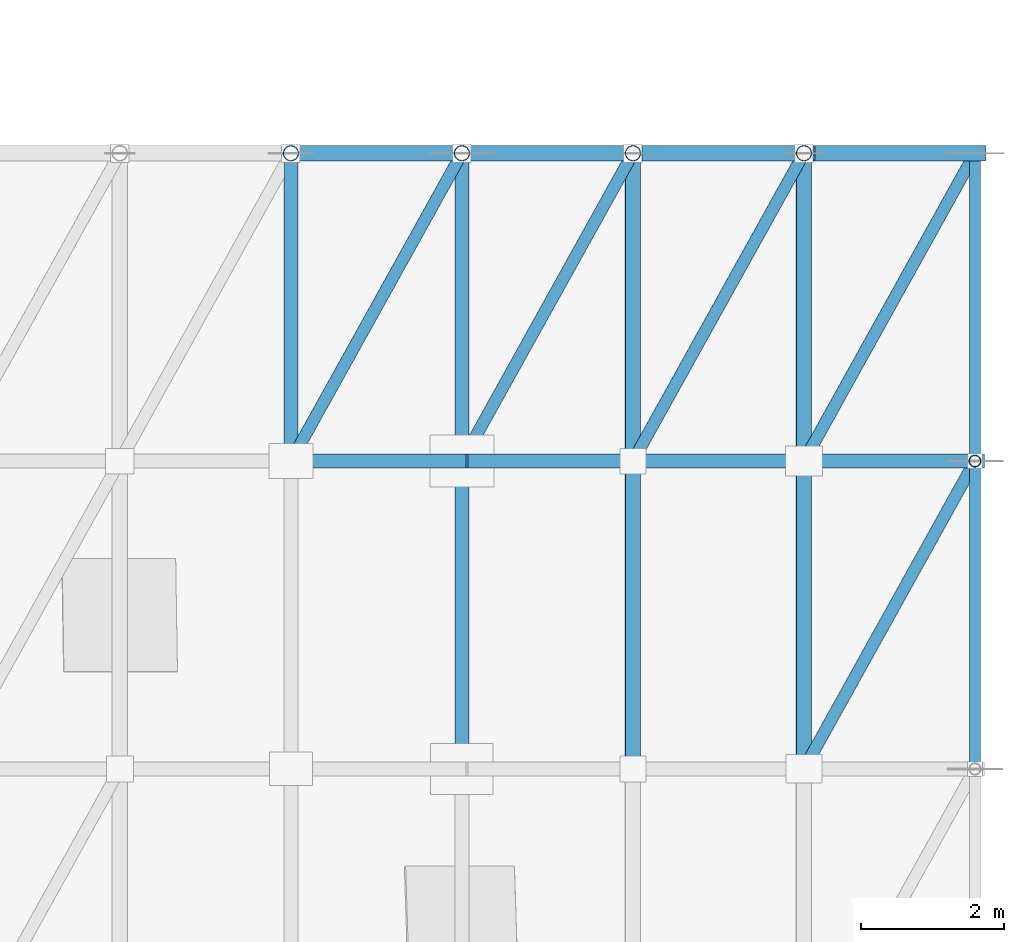
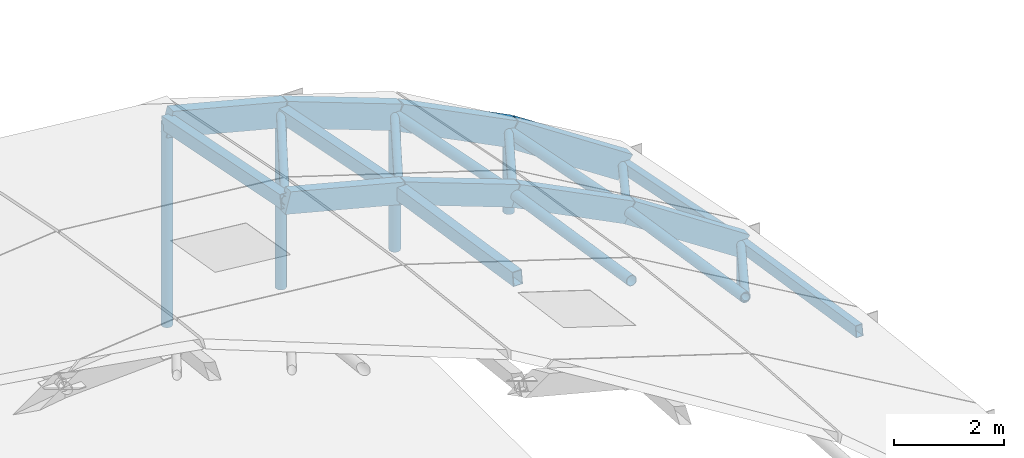
# One storey, part 19 of 35: 27 members.
"""IFC4 building model written with IfcOpenShell, lengths in metres."""

from ifc_helpers import new_model, si_unit, direction, frame, origin, origin_2d, place, context, subcontext, project, spatial, rectangle, hollow_rectangle, hollow_circle, extrude, material, material_profile, profile_set, type_object, element, save


model = new_model("IFC4")

# Units and contexts
model_context = context("Model", 3, precision=1e-05, world=origin(), true_north=direction((0.0, 1.0)))
body_context = subcontext(model_context, "Body", "Model", "MODEL_VIEW")
ifc_project = project(units=[si_unit("LENGTHUNIT", "METRE"), si_unit("AREAUNIT", "SQUARE_METRE"), si_unit("VOLUMEUNIT", "CUBIC_METRE"), si_unit("PLANEANGLEUNIT", "RADIAN"), si_unit("MASSUNIT", "GRAM", prefix="KILO")], contexts=[model_context])

# Site, building, storey
site_placement = place(None, origin())
site = spatial("IfcSite", under=ifc_project, at=site_placement, CompositionType="ELEMENT")
building_placement = place(site_placement, origin())
building = spatial("IfcBuilding", under=site, at=building_placement, Name="Zarrinpeak Specialist Clinic", CompositionType="ELEMENT")
storey_placement = place(building_placement, frame((0.0, 0.0, 31.60009765625)))
storey = spatial("IfcBuildingStorey", under=building, at=storey_placement, Name="RF", CompositionType="ELEMENT", Elevation=31.60009765625)

# Members
ifc_material_1 = material(Name="Steel S355", Category="steel")
ifc_material_profile_1 = material_profile(ifc_material_1, hollow_circle(Radius=0.084228515625, WallThickness=0.008056640625, at=origin_2d()), Name="CHS 168.3x8.0")
ifc_profile_set_1 = profile_set([ifc_material_profile_1], Name="Steel S355")
member_type_1 = type_object("IfcMemberType", Name="MB-BR168", PredefinedType="BRACE", material=ifc_profile_set_1)
member_1_placement = place(storey_placement, frame((112.800048828125, 67.679931640625, -12.4208984375), z_axis=(0.465088480955, 0.837206578891, -0.287711399053), x_axis=(-0.874168927292, 0.485621958479, 0.0)))
element("IfcMember", 1, at=member_1_placement, inside=storey, type_object=member_type_1, Name="V3 Gridshell Diagonal Brace GS-DIAG-054", PredefinedType="BRACE", context=body_context, shape_type="SweptSolid", body=[
    extrude(hollow_circle(Radius=0.084228515625, WallThickness=0.008056640625, at=origin_2d()), origin(), (0.0, 0.0, 1.0), 5.16015625),
])
member_2_placement = place(storey_placement, frame((115.199951171875, 67.679931640625, -13.04150390625), z_axis=(0.457448279603, 0.823369678322, -0.335862240075), x_axis=(-0.874147955046, 0.485659708735, 0.0)))
element("IfcMember", 2, at=member_2_placement, inside=storey, type_object=member_type_1, Name="V3 Gridshell Diagonal Brace GS-DIAG-058", PredefinedType="BRACE", context=body_context, shape_type="SweptSolid", body=[
    extrude(hollow_circle(Radius=0.084228515625, WallThickness=0.008056640625, at=origin_2d()), origin(), (0.0, 0.0, 1.0), 5.246826171875),
])
member_3_placement = place(storey_placement, frame((117.60009765625, 67.679931640625, -13.939697265625), z_axis=(0.44773218823, 0.805963486342, -0.387245072669), x_axis=(-0.874168927292, 0.485621958479, 0.0)))
element("IfcMember", 3, at=member_3_placement, inside=storey, type_object=member_type_1, Name="V3 Gridshell Diagonal Brace GS-DIAG-062", PredefinedType="BRACE", context=body_context, shape_type="SweptSolid", body=[
    extrude(hollow_circle(Radius=0.084228515625, WallThickness=0.008056640625, at=origin_2d()), origin(), (0.0, 0.0, 1.0), 5.360107421875),
])
member_4_placement = place(storey_placement, frame((120.0, 63.360107421875, -14.4794921875), z_axis=(0.441763361189, 0.795174050139, -0.415383392418), x_axis=(-0.874157276122, 0.485642931179, 0.0)))
element("IfcMember", 4, at=member_4_placement, inside=storey, type_object=member_type_1, Name="V3 Gridshell Diagonal Brace GS-DIAG-071", PredefinedType="BRACE", context=body_context, shape_type="SweptSolid", body=[
    extrude(hollow_circle(Radius=0.084228515625, WallThickness=0.008056640625, at=origin_2d()), origin(), (0.0, 0.0, 1.0), 5.4326171875),
])
member_5_placement = place(storey_placement, frame((120.0, 67.679931640625, -15.151611328125), z_axis=(0.435142042868, 0.783299943902, -0.443951123899), x_axis=(-0.874168927292, 0.485621958479, 0.0)))
element("IfcMember", 5, at=member_5_placement, inside=storey, type_object=member_type_1, Name="V3 Gridshell Diagonal Brace GS-DIAG-072", PredefinedType="BRACE", context=body_context, shape_type="SweptSolid", body=[
    extrude(hollow_circle(Radius=0.084228515625, WallThickness=0.008056640625, at=origin_2d()), origin(), (0.0, 0.0, 1.0), 5.51513671875),
])
ifc_material_profile_2 = material_profile(ifc_material_1, hollow_circle(Radius=0.109619140625, WallThickness=0.010009765625, at=origin_2d()), Name="CHS 219.1x10.0")
ifc_profile_set_2 = profile_set([ifc_material_profile_2], Name="Steel S355")
member_type_2 = type_object("IfcMemberType", Name="MB-GS-CH219", PredefinedType="USERDEFINED", material=ifc_profile_set_2)
member_6_placement = place(storey_placement, frame((117.60009765625, 63.360107421875, -13.267578125), z_axis=(0.0, 0.988111379408, -0.153739721234), x_axis=(-1.0, 0.0, 0.0)))
element("IfcMember", 6, at=member_6_placement, inside=storey, type_object=member_type_2, Name="V3 Translational Gridshell Vault Steel Chord I10-J08", ObjectType="ARCH_SEGMENT", PredefinedType="USERDEFINED", context=body_context, shape_type="SweptSolid", body=[
    extrude(hollow_circle(Radius=0.109619140625, WallThickness=0.010009765625, at=origin_2d()), origin(), (0.0, 0.0, 1.0), 4.371826171875),
])
member_7_placement = place(storey_placement, frame((117.60009765625, 67.679931640625, -13.939697265625), z_axis=(0.0, 0.980580675691, -0.196116135138), x_axis=(-1.0, 0.0, 0.0)))
element("IfcMember", 7, at=member_7_placement, inside=storey, type_object=member_type_2, Name="V3 Translational Gridshell Vault Steel Chord I10-J09", ObjectType="ARCH_SEGMENT", PredefinedType="USERDEFINED", context=body_context, shape_type="SweptSolid", body=[
    extrude(hollow_circle(Radius=0.109619140625, WallThickness=0.010009765625, at=origin_2d()), origin(), (0.0, 0.0, 1.0), 4.405517578125),
])
member_8_placement = place(storey_placement, frame((120.0, 63.360107421875, -14.4794921875), z_axis=(0.0, 0.988111379408, -0.153739721234), x_axis=(-1.0, 0.0, 0.0)))
element("IfcMember", 8, at=member_8_placement, inside=storey, type_object=member_type_2, Name="V3 Translational Gridshell Vault Steel Chord I11-J08", ObjectType="ARCH_SEGMENT", PredefinedType="USERDEFINED", context=body_context, shape_type="SweptSolid", body=[
    extrude(hollow_circle(Radius=0.109619140625, WallThickness=0.010009765625, at=origin_2d()), origin(), (0.0, 0.0, 1.0), 4.371826171875),
])
member_9_placement = place(storey_placement, frame((120.0, 67.679931640625, -15.151611328125), z_axis=(0.0, 0.980591331223, -0.19606284995), x_axis=(-1.0, 0.0, 0.0)))
element("IfcMember", 9, at=member_9_placement, inside=storey, type_object=member_type_2, Name="V3 Translational Gridshell Vault Steel Chord I11-J09", ObjectType="ARCH_SEGMENT", PredefinedType="USERDEFINED", context=body_context, shape_type="SweptSolid", body=[
    extrude(hollow_circle(Radius=0.109619140625, WallThickness=0.010009765625, at=origin_2d()), origin(), (0.0, 0.0, 1.0), 4.405517578125),
])
ifc_material_2 = material(Name="Glulam GL28h", Category="wood")
ifc_material_profile_3 = material_profile(ifc_material_2, rectangle(XDim=0.199951171875, YDim=0.47998046875, at=origin_2d()), Name="GL28h 200x480")
ifc_profile_set_3 = profile_set([ifc_material_profile_3], Name="Glulam GL28h")
member_type_3 = type_object("IfcMemberType", Name="MB-GS-GL480", PredefinedType="USERDEFINED", material=ifc_profile_set_3)
member_10_placement = place(storey_placement, frame((112.800048828125, 67.679931640625, -12.4208984375), z_axis=(0.96815267419, 0.0, -0.250360538941), x_axis=(0.0, 1.0, 0.0)))
element("IfcMember", 10, at=member_10_placement, inside=storey, type_object=member_type_3, Name="V3 Translational Gridshell Vault Glulam Arch Rib J09-08", ObjectType="ARCH_SEGMENT", PredefinedType="USERDEFINED", context=body_context, shape_type="SweptSolid", body=[
    extrude(rectangle(XDim=0.199951171875, YDim=0.47998046875, at=origin_2d()), origin(), (0.0, 0.0, 1.0), 2.478759765625),
])
member_11_placement = place(storey_placement, frame((115.199951171875, 67.679931640625, -13.04150390625), z_axis=(0.936567780468, 0.0, -0.350486508427), x_axis=(0.0, 1.0, 0.0)))
element("IfcMember", 11, at=member_11_placement, inside=storey, type_object=member_type_3, Name="V3 Translational Gridshell Vault Glulam Arch Rib J09-09", ObjectType="ARCH_SEGMENT", PredefinedType="USERDEFINED", context=body_context, shape_type="SweptSolid", body=[
    extrude(rectangle(XDim=0.199951171875, YDim=0.47998046875, at=origin_2d()), origin(), (0.0, 0.0, 1.0), 2.562744140625),
])
member_12_placement = place(storey_placement, frame((117.60009765625, 67.679931640625, -13.939697265625), z_axis=(0.892640275465, 0.0, -0.450769717946), x_axis=(0.0, 1.0, 0.0)))
element("IfcMember", 12, at=member_12_placement, inside=storey, type_object=member_type_3, Name="V3 Translational Gridshell Vault Glulam Arch Rib J09-10", ObjectType="ARCH_SEGMENT", PredefinedType="USERDEFINED", context=body_context, shape_type="SweptSolid", body=[
    extrude(rectangle(XDim=0.199951171875, YDim=0.47998046875, at=origin_2d()), origin(), (0.0, 0.0, 1.0), 2.6884765625),
])
member_13_placement = place(storey_placement, frame((120.0, 67.679931640625, -15.151611328125), z_axis=(0.834523531014, 0.0, -0.550972300741), x_axis=(0.0, 1.0, 0.0)))
element("IfcMember", 13, at=member_13_placement, inside=storey, type_object=member_type_3, Name="V3 Translational Gridshell Vault Glulam Arch Rib J09-11", ObjectType="ARCH_SEGMENT", PredefinedType="USERDEFINED", context=body_context, shape_type="SweptSolid", body=[
    extrude(rectangle(XDim=0.199951171875, YDim=0.47998046875, at=origin_2d()), origin(), (0.0, 0.0, 1.0), 2.875732421875),
])
ifc_material_profile_4 = material_profile(ifc_material_2, rectangle(XDim=0.219970703125, YDim=0.56005859375, at=origin_2d()), Name="GL28h 220x560")
ifc_profile_set_4 = profile_set([ifc_material_profile_4], Name="Glulam GL28h")
member_type_4 = type_object("IfcMemberType", Name="MB-GS-GL560", PredefinedType="USERDEFINED", material=ifc_profile_set_4)
member_14_placement = place(storey_placement, frame((112.800048828125, 72.0, -13.284912109375), z_axis=(0.96815267419, 0.0, -0.250360538941), x_axis=(0.0, 1.0, 0.0)))
element("IfcMember", 14, at=member_14_placement, inside=storey, type_object=member_type_4, Name="V3 Translational Gridshell Vault Glulam Arch Rib J10-08", ObjectType="ARCH_SEGMENT", PredefinedType="USERDEFINED", context=body_context, shape_type="SweptSolid", body=[
    extrude(rectangle(XDim=0.219970703125, YDim=0.56005859375, at=origin_2d()), origin(), (0.0, 0.0, 1.0), 2.478759765625),
])
member_15_placement = place(storey_placement, frame((115.199951171875, 72.0, -13.905517578125), z_axis=(0.936567780468, 0.0, -0.350486508427), x_axis=(0.0, 1.0, 0.0)))
element("IfcMember", 15, at=member_15_placement, inside=storey, type_object=member_type_4, Name="V3 Translational Gridshell Vault Glulam Arch Rib J10-09", ObjectType="ARCH_SEGMENT", PredefinedType="USERDEFINED", context=body_context, shape_type="SweptSolid", body=[
    extrude(rectangle(XDim=0.219970703125, YDim=0.56005859375, at=origin_2d()), origin(), (0.0, 0.0, 1.0), 2.562744140625),
])
member_16_placement = place(storey_placement, frame((117.60009765625, 72.0, -14.8037109375), z_axis=(0.892676812819, 0.0, -0.450697357276), x_axis=(0.0, 1.0, 0.0)))
element("IfcMember", 16, at=member_16_placement, inside=storey, type_object=member_type_4, Name="V3 Translational Gridshell Vault Glulam Arch Rib J10-10", ObjectType="ARCH_SEGMENT", PredefinedType="USERDEFINED", context=body_context, shape_type="SweptSolid", body=[
    extrude(rectangle(XDim=0.219970703125, YDim=0.56005859375, at=origin_2d()), origin(), (0.0, 0.0, 1.0), 2.6884765625),
])
member_17_placement = place(storey_placement, frame((120.0, 72.0, -16.015380859375), z_axis=(0.834484495814, 0.0, -0.55103142038), x_axis=(0.0, 1.0, 0.0)))
element("IfcMember", 17, at=member_17_placement, inside=storey, type_object=member_type_4, Name="V3 Translational Gridshell Vault Glulam Arch Rib J10-11", ObjectType="ARCH_SEGMENT", PredefinedType="USERDEFINED", context=body_context, shape_type="SweptSolid", body=[
    extrude(rectangle(XDim=0.219970703125, YDim=0.56005859375, at=origin_2d()), origin(), (0.0, 0.0, 1.0), 2.8759765625),
])
ifc_material_profile_5 = material_profile(ifc_material_1, hollow_rectangle(XDim=0.14990234375, YDim=0.25, WallThickness=0.010009765625, at=origin_2d()), Name="RHS 250x150x10.0")
ifc_profile_set_5 = profile_set([ifc_material_profile_5], Name="Steel S355")
member_type_5 = type_object("IfcMemberType", Name="MB-GS-RH250", PredefinedType="USERDEFINED", material=ifc_profile_set_5)
member_18_placement = place(storey_placement, frame((122.39990234375, 63.360107421875, -16.064208984375), z_axis=(0.0, 0.988119861414, -0.153685196033), x_axis=(-1.0, 0.0, 0.0)))
element("IfcMember", 18, at=member_18_placement, inside=storey, type_object=member_type_5, Name="V3 Translational Gridshell Vault Steel Chord I12-J08", ObjectType="ARCH_SEGMENT", PredefinedType="USERDEFINED", context=body_context, shape_type="SweptSolid", body=[
    extrude(hollow_rectangle(XDim=0.14990234375, YDim=0.25, WallThickness=0.010009765625, at=origin_2d()), origin(), (0.0, 0.0, 1.0), 4.371826171875),
])
member_19_placement = place(storey_placement, frame((122.39990234375, 67.679931640625, -16.736083984375), z_axis=(0.0, 0.980580675691, -0.196116135138), x_axis=(-1.0, 0.0, 0.0)))
element("IfcMember", 19, at=member_19_placement, inside=storey, type_object=member_type_5, Name="V3 Translational Gridshell Vault Steel Chord I12-J09", ObjectType="ARCH_SEGMENT", PredefinedType="USERDEFINED", context=body_context, shape_type="SweptSolid", body=[
    extrude(hollow_rectangle(XDim=0.14990234375, YDim=0.25, WallThickness=0.010009765625, at=origin_2d()), origin(), (0.0, 0.0, 1.0), 4.405517578125),
])
ifc_material_profile_6 = material_profile(ifc_material_1, hollow_rectangle(XDim=0.199951171875, YDim=0.300048828125, WallThickness=0.012451171875, at=origin_2d()), Name="RHS 300x200x12.5")
ifc_profile_set_6 = profile_set([ifc_material_profile_6], Name="Steel S355")
member_type_6 = type_object("IfcMemberType", Name="MB-GS-RH300", PredefinedType="USERDEFINED", material=ifc_profile_set_6)
member_20_placement = place(storey_placement, frame((112.800048828125, 67.679931640625, -12.4208984375), z_axis=(0.0, 0.980580675691, -0.196116135138), x_axis=(-1.0, 0.0, 0.0)))
element("IfcMember", 20, at=member_20_placement, inside=storey, type_object=member_type_6, Name="V3 Translational Gridshell Vault Steel Chord I08-J09", ObjectType="ARCH_SEGMENT", PredefinedType="USERDEFINED", context=body_context, shape_type="SweptSolid", body=[
    extrude(hollow_rectangle(XDim=0.199951171875, YDim=0.300048828125, WallThickness=0.012451171875, at=origin_2d()), origin(), (0.0, 0.0, 1.0), 4.405517578125),
])
member_21_placement = place(storey_placement, frame((115.199951171875, 63.360107421875, -12.36962890625), z_axis=(0.0, 0.988119861414, -0.153685196033), x_axis=(-1.0, 0.0, 0.0)))
element("IfcMember", 21, at=member_21_placement, inside=storey, type_object=member_type_6, Name="V3 Translational Gridshell Vault Steel Chord I09-J08", ObjectType="ARCH_SEGMENT", PredefinedType="USERDEFINED", context=body_context, shape_type="SweptSolid", body=[
    extrude(hollow_rectangle(XDim=0.199951171875, YDim=0.300048828125, WallThickness=0.012451171875, at=origin_2d()), origin(), (0.0, 0.0, 1.0), 4.371826171875),
])
member_22_placement = place(storey_placement, frame((115.199951171875, 67.679931640625, -13.04150390625), z_axis=(0.0, 0.980580675691, -0.196116135138), x_axis=(-1.0, 0.0, 0.0)))
element("IfcMember", 22, at=member_22_placement, inside=storey, type_object=member_type_6, Name="V3 Translational Gridshell Vault Steel Chord I09-J09", ObjectType="ARCH_SEGMENT", PredefinedType="USERDEFINED", context=body_context, shape_type="SweptSolid", body=[
    extrude(hollow_rectangle(XDim=0.199951171875, YDim=0.300048828125, WallThickness=0.012451171875, at=origin_2d()), origin(), (0.0, 0.0, 1.0), 4.405517578125),
])
ifc_material_profile_7 = material_profile(ifc_material_1, hollow_circle(Radius=0.084228515625, WallThickness=0.008056640625, at=origin_2d()), Name="CHS 168.3x8.0")
ifc_profile_set_7 = profile_set([ifc_material_profile_7], Name="Steel S355")
member_type_7 = type_object("IfcMemberType", Name="MB-PST168", PredefinedType="BRACE", material=ifc_profile_set_7)
member_23_placement = place(storey_placement, frame((122.39990234375, 67.679931640625, -17.800048828125), z_axis=(0.0, 0.0, 1.0), x_axis=(1.0, 0.0, 0.0)))
element("IfcMember", 23, at=member_23_placement, inside=storey, type_object=member_type_7, Name="V3 Gridshell Edge Arch Post 12-9", PredefinedType="BRACE", context=body_context, shape_type="SweptSolid", body=[
    extrude(hollow_circle(Radius=0.084228515625, WallThickness=0.008056640625, at=origin_2d()), origin(), (0.0, 0.0, 1.0), 1.06396484375),
])
ifc_material_profile_8 = material_profile(ifc_material_1, hollow_circle(Radius=0.109619140625, WallThickness=0.010009765625, at=origin_2d()), Name="CHS 219.1x10.0")
ifc_profile_set_8 = profile_set([ifc_material_profile_8], Name="Steel S355")
member_type_8 = type_object("IfcMemberType", Name="MB-PST219", PredefinedType="BRACE", material=ifc_profile_set_8)
member_24_placement = place(storey_placement, frame((112.800048828125, 72.0, -17.800048828125), z_axis=(0.0, 0.0, 1.0), x_axis=(1.0, 0.0, 0.0)))
element("IfcMember", 24, at=member_24_placement, inside=storey, type_object=member_type_8, Name="V3 Gridshell Gable Arch Mullion Post 10-8", PredefinedType="BRACE", context=body_context, shape_type="SweptSolid", body=[
    extrude(hollow_circle(Radius=0.109619140625, WallThickness=0.010009765625, at=origin_2d()), origin(), (0.0, 0.0, 1.0), 4.51513671875),
])
member_25_placement = place(storey_placement, frame((115.199951171875, 72.0, -17.800048828125), z_axis=(0.0, 0.0, 1.0), x_axis=(1.0, 0.0, 0.0)))
element("IfcMember", 25, at=member_25_placement, inside=storey, type_object=member_type_8, Name="V3 Gridshell Gable Arch Mullion Post 10-9", PredefinedType="BRACE", context=body_context, shape_type="SweptSolid", body=[
    extrude(hollow_circle(Radius=0.109619140625, WallThickness=0.010009765625, at=origin_2d()), origin(), (0.0, 0.0, 1.0), 3.89453125),
])
member_26_placement = place(storey_placement, frame((117.60009765625, 72.0, -17.800048828125), z_axis=(0.0, 0.0, 1.0), x_axis=(1.0, 0.0, 0.0)))
element("IfcMember", 26, at=member_26_placement, inside=storey, type_object=member_type_8, Name="V3 Gridshell Gable Arch Mullion Post 10-10", PredefinedType="BRACE", context=body_context, shape_type="SweptSolid", body=[
    extrude(hollow_circle(Radius=0.109619140625, WallThickness=0.010009765625, at=origin_2d()), origin(), (0.0, 0.0, 1.0), 2.996337890625),
])
member_27_placement = place(storey_placement, frame((120.0, 72.0, -17.800048828125), z_axis=(0.0, 0.0, 1.0), x_axis=(1.0, 0.0, 0.0)))
element("IfcMember", 27, at=member_27_placement, inside=storey, type_object=member_type_8, Name="V3 Gridshell Gable Arch Mullion Post 10-11", PredefinedType="BRACE", context=body_context, shape_type="SweptSolid", body=[
    extrude(hollow_circle(Radius=0.109619140625, WallThickness=0.010009765625, at=origin_2d()), origin(), (0.0, 0.0, 1.0), 1.78466796875),
])

save(model, "model.ifc")
